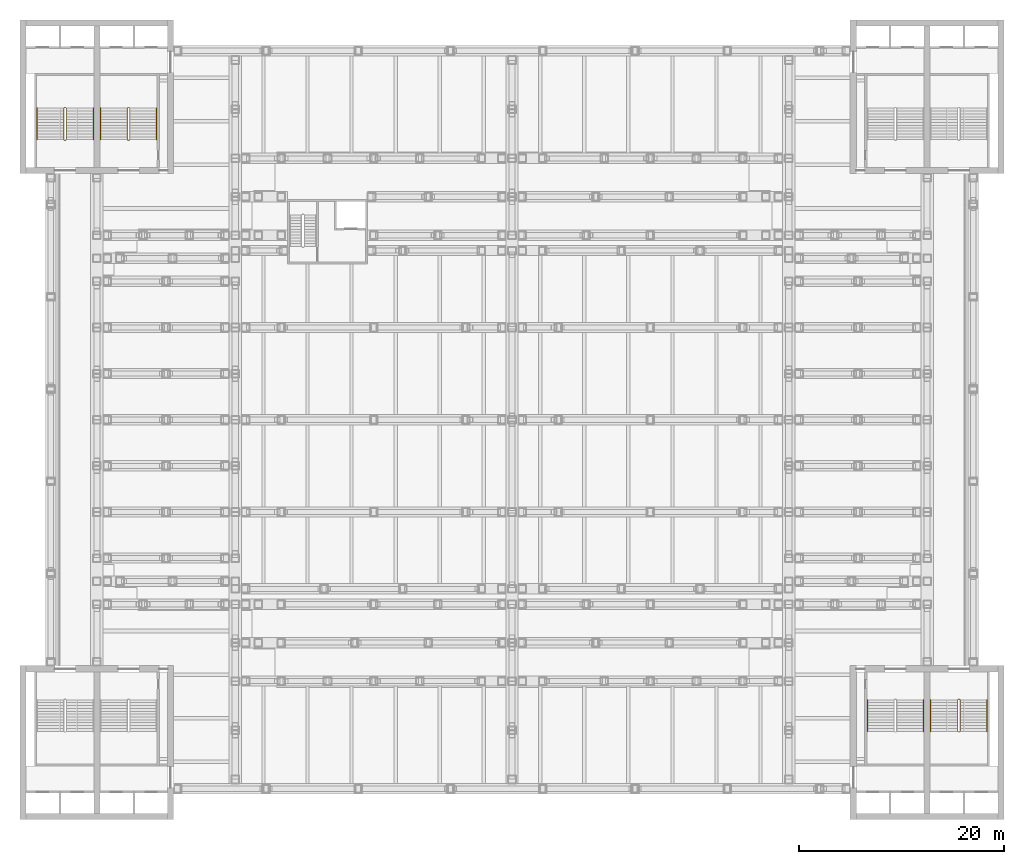
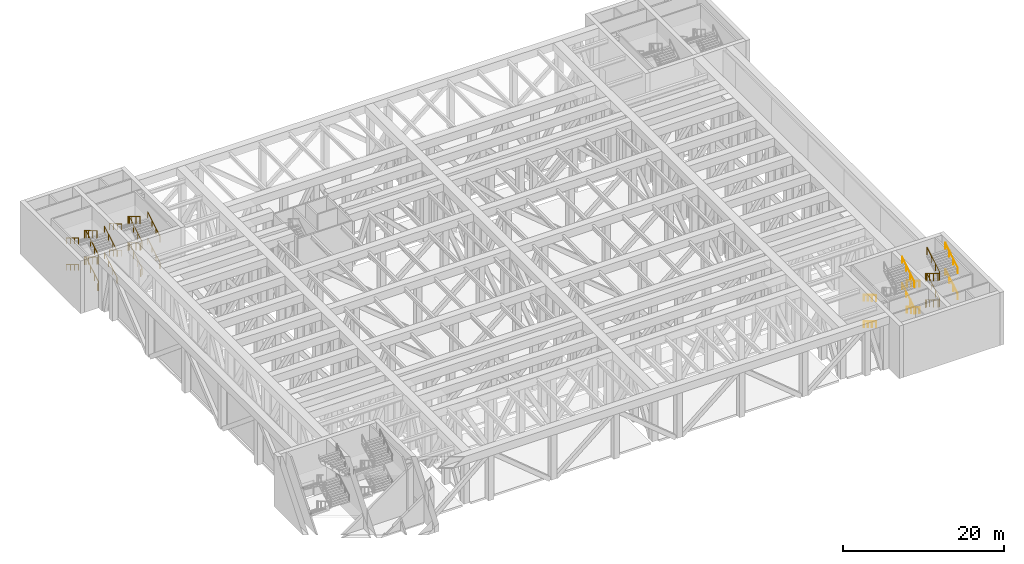
# One storey, part 19 of 20: 7 railings.
"""IFC4 building model written with IfcOpenShell, lengths in metres."""

from ifc_helpers import new_model, si_unit, direction, frame, origin, origin_2d, place, context, subcontext, project, spatial, circle, extrude, material, type_object, element, save


model = new_model("IFC4")

# Units and contexts
model_context = context("Model", 3, precision=1e-05, world=origin(), true_north=direction((0.0, 1.0)))
body_context = subcontext(model_context, "Body", "Model", "MODEL_VIEW")
ifc_project = project(units=[si_unit("LENGTHUNIT", "METRE"), si_unit("AREAUNIT", "SQUARE_METRE"), si_unit("VOLUMEUNIT", "CUBIC_METRE"), si_unit("PLANEANGLEUNIT", "RADIAN"), si_unit("MASSUNIT", "GRAM", prefix="KILO")], contexts=[model_context])

# Site, building, storey
site_placement = place(None, origin())
site = spatial("IfcSite", under=ifc_project, at=site_placement, CompositionType="ELEMENT")
building_placement = place(site_placement, origin())
building = spatial("IfcBuilding", under=site, at=building_placement, Name="Corbelhall Arena Tower", CompositionType="ELEMENT")
storey_placement = place(building_placement, frame((0.0, 0.0, 52.0)))
storey = spatial("IfcBuildingStorey", under=building, at=storey_placement, Name="L07", CompositionType="ELEMENT", Elevation=52.0)

# Railings
ifc_material = material(Name="Stainless steel A4", Category="steel")
railing_type_1 = type_object("IfcRailingType", Name="AR-STAIR-GUARD", PredefinedType="GUARDRAIL", material=ifc_material)
railing_1_placement = place(storey_placement, frame((-37.280029296875, 27.320068359375, 0.166748046875)))
element("IfcRailing", 1, at=railing_1_placement, inside=storey, type_object=railing_type_1, Name="L07 AS3 stair guards", PredefinedType="GUARDRAIL", context=body_context, shape_type="SweptSolid", body=[
    extrude(circle(Radius=0.02392578125, at=origin_2d()), frame((0.0, 0.0, 1.076171875), z_axis=(0.0, 0.859290745958, 0.51148745235), x_axis=(-1.0, 0.0, 0.0)), (0.0, 0.0, 1.0), 3.584228515625),
    extrude(circle(Radius=0.02392578125, at=origin_2d()), frame((-0.050048828125, 3.1298828125, 2.9091796875), z_axis=(-1.0, 0.0, 0.0), x_axis=(0.0, -1.0, 0.0)), (0.0, 0.0, 1.0), 0.14990234375),
    extrude(circle(Radius=0.02392578125, at=origin_2d()), frame((-0.25, 3.079833984375, 3.076171875), z_axis=(0.0, -0.859290745958, 0.51148745235), x_axis=(1.0, 0.0, 0.0)), (0.0, 0.0, 1.0), 3.584228515625),
    extrude(circle(Radius=0.02392578125, at=origin_2d()), frame((-0.050048828125, -0.050048828125, 4.9091796875), z_axis=(-1.0, 0.0, 0.0), x_axis=(0.0, -1.0, 0.0)), (0.0, 0.0, 1.0), 0.14990234375),
    extrude(circle(Radius=0.02392578125, at=origin_2d()), frame((0.0, 0.0, 5.076171875), z_axis=(0.0, 0.859290745958, 0.51148745235), x_axis=(-1.0, 0.0, 0.0)), (0.0, 0.0, 1.0), 3.584228515625),
    extrude(circle(Radius=0.02392578125, at=origin_2d()), frame((-0.050048828125, 3.1298828125, 6.9091796875), z_axis=(-1.0, 0.0, 0.0), x_axis=(0.0, -1.0, 0.0)), (0.0, 0.0, 1.0), 0.14990234375),
    extrude(circle(Radius=0.02392578125, at=origin_2d()), frame((-0.25, 3.079833984375, 7.076171875), z_axis=(0.0, -0.859290745958, 0.51148745235), x_axis=(1.0, 0.0, 0.0)), (0.0, 0.0, 1.0), 3.584228515625),
    extrude(circle(Radius=0.02392578125, at=origin_2d()), frame((-0.050048828125, -0.050048828125, 0.9091796875), z_axis=(-1.0, 0.0, 0.0), x_axis=(0.0, -1.0, 0.0)), (0.0, 0.0, 1.0), 0.14990234375),
    extrude(circle(Radius=0.02099609375, at=origin_2d()), origin(), (0.0, 0.0, 1.0), 1.052001953125),
    extrude(circle(Radius=0.02099609375, at=origin_2d()), frame((0.0, 1.026611328125, 0.611083984375)), (0.0, 0.0, 1.0), 1.052001953125),
    extrude(circle(Radius=0.02099609375, at=origin_2d()), frame((0.0, 2.05322265625, 1.22216796875)), (0.0, 0.0, 1.0), 1.052001953125),
    extrude(circle(Radius=0.02099609375, at=origin_2d()), frame((0.0, 3.079833984375, 1.833251953125)), (0.0, 0.0, 1.0), 1.052001953125),
    extrude(circle(Radius=0.02099609375, at=origin_2d()), frame((-0.050048828125, 3.1298828125, 1.833251953125)), (0.0, 0.0, 1.0), 1.052001953125),
    extrude(circle(Radius=0.02099609375, at=origin_2d()), frame((-0.199951171875, 3.1298828125, 1.833251953125)), (0.0, 0.0, 1.0), 1.052001953125),
    extrude(circle(Radius=0.02099609375, at=origin_2d()), frame((-0.25, 3.079833984375, 2.0)), (0.0, 0.0, 1.0), 1.052001953125),
    extrude(circle(Radius=0.02099609375, at=origin_2d()), frame((-0.25, 2.05322265625, 2.611083984375)), (0.0, 0.0, 1.0), 1.052001953125),
    extrude(circle(Radius=0.02099609375, at=origin_2d()), frame((-0.25, 1.026611328125, 3.22216796875)), (0.0, 0.0, 1.0), 1.052001953125),
    extrude(circle(Radius=0.02099609375, at=origin_2d()), frame((-0.25, 0.0, 3.833251953125)), (0.0, 0.0, 1.0), 1.052001953125),
    extrude(circle(Radius=0.02099609375, at=origin_2d()), frame((-0.050048828125, -0.050048828125, 3.833251953125)), (0.0, 0.0, 1.0), 1.052001953125),
    extrude(circle(Radius=0.02099609375, at=origin_2d()), frame((-0.199951171875, -0.050048828125, 3.833251953125)), (0.0, 0.0, 1.0), 1.052001953125),
    extrude(circle(Radius=0.02099609375, at=origin_2d()), frame((0.0, 0.0, 4.0)), (0.0, 0.0, 1.0), 1.052001953125),
    extrude(circle(Radius=0.02099609375, at=origin_2d()), frame((0.0, 1.026611328125, 4.611083984375)), (0.0, 0.0, 1.0), 1.052001953125),
    extrude(circle(Radius=0.02099609375, at=origin_2d()), frame((0.0, 2.05322265625, 5.22216796875)), (0.0, 0.0, 1.0), 1.052001953125),
    extrude(circle(Radius=0.02099609375, at=origin_2d()), frame((0.0, 3.079833984375, 5.833251953125)), (0.0, 0.0, 1.0), 1.052001953125),
    extrude(circle(Radius=0.02099609375, at=origin_2d()), frame((-0.050048828125, 3.1298828125, 5.833251953125)), (0.0, 0.0, 1.0), 1.052001953125),
    extrude(circle(Radius=0.02099609375, at=origin_2d()), frame((-0.199951171875, 3.1298828125, 5.833251953125)), (0.0, 0.0, 1.0), 1.052001953125),
    extrude(circle(Radius=0.02099609375, at=origin_2d()), frame((-0.25, 3.079833984375, 6.0)), (0.0, 0.0, 1.0), 1.052001953125),
    extrude(circle(Radius=0.02099609375, at=origin_2d()), frame((-0.25, 2.05322265625, 6.611083984375)), (0.0, 0.0, 1.0), 1.052001953125),
    extrude(circle(Radius=0.02099609375, at=origin_2d()), frame((-0.25, 1.026611328125, 7.22216796875)), (0.0, 0.0, 1.0), 1.052001953125),
    extrude(circle(Radius=0.02099609375, at=origin_2d()), frame((-0.25, 0.0, 7.833251953125)), (0.0, 0.0, 1.0), 1.052001953125),
    extrude(circle(Radius=0.02099609375, at=origin_2d()), frame((-0.050048828125, -0.050048828125, -0.166748046875)), (0.0, 0.0, 1.0), 1.052001953125),
    extrude(circle(Radius=0.02099609375, at=origin_2d()), frame((-0.199951171875, -0.050048828125, -0.166748046875)), (0.0, 0.0, 1.0), 1.052001953125),
])
railing_2_placement = place(storey_placement, frame((-43.469970703125, 27.320068359375, 0.166748046875)))
element("IfcRailing", 2, at=railing_2_placement, inside=storey, type_object=railing_type_1, Name="L07 AS4 stair guards", PredefinedType="GUARDRAIL", context=body_context, shape_type="SweptSolid", body=[
    extrude(circle(Radius=0.02392578125, at=origin_2d()), frame((0.0, 0.0, 1.076171875), z_axis=(0.0, 0.859290745958, 0.51148745235), x_axis=(-1.0, 0.0, 0.0)), (0.0, 0.0, 1.0), 3.584228515625),
    extrude(circle(Radius=0.02392578125, at=origin_2d()), frame((-0.050048828125, 3.1298828125, 2.9091796875), z_axis=(-1.0, 0.0, 0.0), x_axis=(0.0, -1.0, 0.0)), (0.0, 0.0, 1.0), 0.14990234375),
    extrude(circle(Radius=0.02392578125, at=origin_2d()), frame((-0.25, 3.079833984375, 3.076171875), z_axis=(0.0, -0.859290745958, 0.51148745235), x_axis=(1.0, 0.0, 0.0)), (0.0, 0.0, 1.0), 3.584228515625),
    extrude(circle(Radius=0.02392578125, at=origin_2d()), frame((-0.050048828125, -0.050048828125, 4.9091796875), z_axis=(-1.0, 0.0, 0.0), x_axis=(0.0, -1.0, 0.0)), (0.0, 0.0, 1.0), 0.14990234375),
    extrude(circle(Radius=0.02392578125, at=origin_2d()), frame((0.0, 0.0, 5.076171875), z_axis=(0.0, 0.859290745958, 0.51148745235), x_axis=(-1.0, 0.0, 0.0)), (0.0, 0.0, 1.0), 3.584228515625),
    extrude(circle(Radius=0.02392578125, at=origin_2d()), frame((-0.050048828125, 3.1298828125, 6.9091796875), z_axis=(-1.0, 0.0, 0.0), x_axis=(0.0, -1.0, 0.0)), (0.0, 0.0, 1.0), 0.14990234375),
    extrude(circle(Radius=0.02392578125, at=origin_2d()), frame((-0.25, 3.079833984375, 7.076171875), z_axis=(0.0, -0.859290745958, 0.51148745235), x_axis=(1.0, 0.0, 0.0)), (0.0, 0.0, 1.0), 3.584228515625),
    extrude(circle(Radius=0.02392578125, at=origin_2d()), frame((-0.050048828125, -0.050048828125, 0.9091796875), z_axis=(-1.0, 0.0, 0.0), x_axis=(0.0, -1.0, 0.0)), (0.0, 0.0, 1.0), 0.14990234375),
    extrude(circle(Radius=0.02099609375, at=origin_2d()), origin(), (0.0, 0.0, 1.0), 1.052001953125),
    extrude(circle(Radius=0.02099609375, at=origin_2d()), frame((0.0, 1.026611328125, 0.611083984375)), (0.0, 0.0, 1.0), 1.052001953125),
    extrude(circle(Radius=0.02099609375, at=origin_2d()), frame((0.0, 2.05322265625, 1.22216796875)), (0.0, 0.0, 1.0), 1.052001953125),
    extrude(circle(Radius=0.02099609375, at=origin_2d()), frame((0.0, 3.079833984375, 1.833251953125)), (0.0, 0.0, 1.0), 1.052001953125),
    extrude(circle(Radius=0.02099609375, at=origin_2d()), frame((-0.050048828125, 3.1298828125, 1.833251953125)), (0.0, 0.0, 1.0), 1.052001953125),
    extrude(circle(Radius=0.02099609375, at=origin_2d()), frame((-0.199951171875, 3.1298828125, 1.833251953125)), (0.0, 0.0, 1.0), 1.052001953125),
    extrude(circle(Radius=0.02099609375, at=origin_2d()), frame((-0.25, 3.079833984375, 2.0)), (0.0, 0.0, 1.0), 1.052001953125),
    extrude(circle(Radius=0.02099609375, at=origin_2d()), frame((-0.25, 2.05322265625, 2.611083984375)), (0.0, 0.0, 1.0), 1.052001953125),
    extrude(circle(Radius=0.02099609375, at=origin_2d()), frame((-0.25, 1.026611328125, 3.22216796875)), (0.0, 0.0, 1.0), 1.052001953125),
    extrude(circle(Radius=0.02099609375, at=origin_2d()), frame((-0.25, 0.0, 3.833251953125)), (0.0, 0.0, 1.0), 1.052001953125),
    extrude(circle(Radius=0.02099609375, at=origin_2d()), frame((-0.050048828125, -0.050048828125, 3.833251953125)), (0.0, 0.0, 1.0), 1.052001953125),
    extrude(circle(Radius=0.02099609375, at=origin_2d()), frame((-0.199951171875, -0.050048828125, 3.833251953125)), (0.0, 0.0, 1.0), 1.052001953125),
    extrude(circle(Radius=0.02099609375, at=origin_2d()), frame((0.0, 0.0, 4.0)), (0.0, 0.0, 1.0), 1.052001953125),
    extrude(circle(Radius=0.02099609375, at=origin_2d()), frame((0.0, 1.026611328125, 4.611083984375)), (0.0, 0.0, 1.0), 1.052001953125),
    extrude(circle(Radius=0.02099609375, at=origin_2d()), frame((0.0, 2.05322265625, 5.22216796875)), (0.0, 0.0, 1.0), 1.052001953125),
    extrude(circle(Radius=0.02099609375, at=origin_2d()), frame((0.0, 3.079833984375, 5.833251953125)), (0.0, 0.0, 1.0), 1.052001953125),
    extrude(circle(Radius=0.02099609375, at=origin_2d()), frame((-0.050048828125, 3.1298828125, 5.833251953125)), (0.0, 0.0, 1.0), 1.052001953125),
    extrude(circle(Radius=0.02099609375, at=origin_2d()), frame((-0.199951171875, 3.1298828125, 5.833251953125)), (0.0, 0.0, 1.0), 1.052001953125),
    extrude(circle(Radius=0.02099609375, at=origin_2d()), frame((-0.25, 3.079833984375, 6.0)), (0.0, 0.0, 1.0), 1.052001953125),
    extrude(circle(Radius=0.02099609375, at=origin_2d()), frame((-0.25, 2.05322265625, 6.611083984375)), (0.0, 0.0, 1.0), 1.052001953125),
    extrude(circle(Radius=0.02099609375, at=origin_2d()), frame((-0.25, 1.026611328125, 7.22216796875)), (0.0, 0.0, 1.0), 1.052001953125),
    extrude(circle(Radius=0.02099609375, at=origin_2d()), frame((-0.25, 0.0, 7.833251953125)), (0.0, 0.0, 1.0), 1.052001953125),
    extrude(circle(Radius=0.02099609375, at=origin_2d()), frame((-0.050048828125, -0.050048828125, -0.166748046875)), (0.0, 0.0, 1.0), 1.052001953125),
    extrude(circle(Radius=0.02099609375, at=origin_2d()), frame((-0.199951171875, -0.050048828125, -0.166748046875)), (0.0, 0.0, 1.0), 1.052001953125),
])
railing_3_placement = place(storey_placement, frame((43.469970703125, -27.320068359375, 0.166748046875)))
element("IfcRailing", 3, at=railing_3_placement, inside=storey, type_object=railing_type_1, Name="L07 AS6 stair guards", PredefinedType="GUARDRAIL", context=body_context, shape_type="SweptSolid", body=[
    extrude(circle(Radius=0.02392578125, at=origin_2d()), frame((0.0, 0.0, 1.076171875), z_axis=(0.0, -0.859290745958, 0.51148745235), x_axis=(1.0, 0.0, 0.0)), (0.0, 0.0, 1.0), 3.584228515625),
    extrude(circle(Radius=0.02392578125, at=origin_2d()), frame((0.050048828125, -3.1298828125, 2.9091796875), z_axis=(1.0, 0.0, 0.0), x_axis=(0.0, 1.0, 0.0)), (0.0, 0.0, 1.0), 0.14990234375),
    extrude(circle(Radius=0.02392578125, at=origin_2d()), frame((0.25, -3.079833984375, 3.076171875), z_axis=(0.0, 0.859290745958, 0.51148745235), x_axis=(-1.0, 0.0, 0.0)), (0.0, 0.0, 1.0), 3.584228515625),
    extrude(circle(Radius=0.02392578125, at=origin_2d()), frame((0.050048828125, 0.050048828125, 4.9091796875), z_axis=(1.0, 0.0, 0.0), x_axis=(0.0, 1.0, 0.0)), (0.0, 0.0, 1.0), 0.14990234375),
    extrude(circle(Radius=0.02392578125, at=origin_2d()), frame((0.0, 0.0, 5.076171875), z_axis=(0.0, -0.859290745958, 0.51148745235), x_axis=(1.0, 0.0, 0.0)), (0.0, 0.0, 1.0), 3.584228515625),
    extrude(circle(Radius=0.02392578125, at=origin_2d()), frame((0.050048828125, -3.1298828125, 6.9091796875), z_axis=(1.0, 0.0, 0.0), x_axis=(0.0, 1.0, 0.0)), (0.0, 0.0, 1.0), 0.14990234375),
    extrude(circle(Radius=0.02392578125, at=origin_2d()), frame((0.25, -3.079833984375, 7.076171875), z_axis=(0.0, 0.859290745958, 0.51148745235), x_axis=(-1.0, 0.0, 0.0)), (0.0, 0.0, 1.0), 3.584228515625),
    extrude(circle(Radius=0.02392578125, at=origin_2d()), frame((0.050048828125, 0.050048828125, 0.9091796875), z_axis=(1.0, 0.0, 0.0), x_axis=(0.0, 1.0, 0.0)), (0.0, 0.0, 1.0), 0.14990234375),
    extrude(circle(Radius=0.02099609375, at=origin_2d()), origin(), (0.0, 0.0, 1.0), 1.052001953125),
    extrude(circle(Radius=0.02099609375, at=origin_2d()), frame((0.0, -1.026611328125, 0.611083984375)), (0.0, 0.0, 1.0), 1.052001953125),
    extrude(circle(Radius=0.02099609375, at=origin_2d()), frame((0.0, -2.05322265625, 1.22216796875)), (0.0, 0.0, 1.0), 1.052001953125),
    extrude(circle(Radius=0.02099609375, at=origin_2d()), frame((0.0, -3.079833984375, 1.833251953125)), (0.0, 0.0, 1.0), 1.052001953125),
    extrude(circle(Radius=0.02099609375, at=origin_2d()), frame((0.050048828125, -3.1298828125, 1.833251953125)), (0.0, 0.0, 1.0), 1.052001953125),
    extrude(circle(Radius=0.02099609375, at=origin_2d()), frame((0.199951171875, -3.1298828125, 1.833251953125)), (0.0, 0.0, 1.0), 1.052001953125),
    extrude(circle(Radius=0.02099609375, at=origin_2d()), frame((0.25, -3.079833984375, 2.0)), (0.0, 0.0, 1.0), 1.052001953125),
    extrude(circle(Radius=0.02099609375, at=origin_2d()), frame((0.25, -2.05322265625, 2.611083984375)), (0.0, 0.0, 1.0), 1.052001953125),
    extrude(circle(Radius=0.02099609375, at=origin_2d()), frame((0.25, -1.026611328125, 3.22216796875)), (0.0, 0.0, 1.0), 1.052001953125),
    extrude(circle(Radius=0.02099609375, at=origin_2d()), frame((0.25, 0.0, 3.833251953125)), (0.0, 0.0, 1.0), 1.052001953125),
    extrude(circle(Radius=0.02099609375, at=origin_2d()), frame((0.050048828125, 0.050048828125, 3.833251953125)), (0.0, 0.0, 1.0), 1.052001953125),
    extrude(circle(Radius=0.02099609375, at=origin_2d()), frame((0.199951171875, 0.050048828125, 3.833251953125)), (0.0, 0.0, 1.0), 1.052001953125),
    extrude(circle(Radius=0.02099609375, at=origin_2d()), frame((0.0, 0.0, 4.0)), (0.0, 0.0, 1.0), 1.052001953125),
    extrude(circle(Radius=0.02099609375, at=origin_2d()), frame((0.0, -1.026611328125, 4.611083984375)), (0.0, 0.0, 1.0), 1.052001953125),
    extrude(circle(Radius=0.02099609375, at=origin_2d()), frame((0.0, -2.05322265625, 5.22216796875)), (0.0, 0.0, 1.0), 1.052001953125),
    extrude(circle(Radius=0.02099609375, at=origin_2d()), frame((0.0, -3.079833984375, 5.833251953125)), (0.0, 0.0, 1.0), 1.052001953125),
    extrude(circle(Radius=0.02099609375, at=origin_2d()), frame((0.050048828125, -3.1298828125, 5.833251953125)), (0.0, 0.0, 1.0), 1.052001953125),
    extrude(circle(Radius=0.02099609375, at=origin_2d()), frame((0.199951171875, -3.1298828125, 5.833251953125)), (0.0, 0.0, 1.0), 1.052001953125),
    extrude(circle(Radius=0.02099609375, at=origin_2d()), frame((0.25, -3.079833984375, 6.0)), (0.0, 0.0, 1.0), 1.052001953125),
    extrude(circle(Radius=0.02099609375, at=origin_2d()), frame((0.25, -2.05322265625, 6.611083984375)), (0.0, 0.0, 1.0), 1.052001953125),
    extrude(circle(Radius=0.02099609375, at=origin_2d()), frame((0.25, -1.026611328125, 7.22216796875)), (0.0, 0.0, 1.0), 1.052001953125),
    extrude(circle(Radius=0.02099609375, at=origin_2d()), frame((0.25, 0.0, 7.833251953125)), (0.0, 0.0, 1.0), 1.052001953125),
    extrude(circle(Radius=0.02099609375, at=origin_2d()), frame((0.050048828125, 0.050048828125, -0.166748046875)), (0.0, 0.0, 1.0), 1.052001953125),
    extrude(circle(Radius=0.02099609375, at=origin_2d()), frame((0.199951171875, 0.050048828125, -0.166748046875)), (0.0, 0.0, 1.0), 1.052001953125),
])
railing_type_2 = type_object("IfcRailingType", Name="AR-STAIR-HANDRAIL", PredefinedType="HANDRAIL", material=ifc_material)
railing_4_placement = place(storey_placement, frame((-34.659912109375, 27.320068359375, 0.166748046875)))
element("IfcRailing", 4, at=railing_4_placement, inside=storey, type_object=railing_type_2, Name="L07 AS3 stair handrails", PredefinedType="HANDRAIL", context=body_context, shape_type="SweptSolid", body=[
    extrude(circle(Radius=0.02392578125, at=origin_2d()), frame((0.0, 0.0, 0.8759765625), z_axis=(0.0, 0.859290745958, 0.51148745235), x_axis=(-1.0, 0.0, 0.0)), (0.0, 0.0, 1.0), 3.584228515625),
    extrude(circle(Radius=0.02392578125, at=origin_2d()), frame((-5.489990234375, 3.079833984375, 2.8759765625), z_axis=(0.0, -0.859290745958, 0.51148745235), x_axis=(1.0, 0.0, 0.0)), (0.0, 0.0, 1.0), 3.584228515625),
    extrude(circle(Radius=0.02392578125, at=origin_2d()), frame((0.0, 0.0, 4.8759765625), z_axis=(0.0, 0.859290745958, 0.51148745235), x_axis=(-1.0, 0.0, 0.0)), (0.0, 0.0, 1.0), 3.584228515625),
    extrude(circle(Radius=0.02392578125, at=origin_2d()), frame((-5.489990234375, 3.079833984375, 6.8759765625), z_axis=(0.0, -0.859290745958, 0.51148745235), x_axis=(1.0, 0.0, 0.0)), (0.0, 0.0, 1.0), 3.584228515625),
    extrude(circle(Radius=0.02099609375, at=origin_2d()), origin(), (0.0, 0.0, 1.0), 0.851806640625),
    extrude(circle(Radius=0.02099609375, at=origin_2d()), frame((0.0, 1.026611328125, 0.611083984375)), (0.0, 0.0, 1.0), 0.851806640625),
    extrude(circle(Radius=0.02099609375, at=origin_2d()), frame((0.0, 2.05322265625, 1.22216796875)), (0.0, 0.0, 1.0), 0.851806640625),
    extrude(circle(Radius=0.02099609375, at=origin_2d()), frame((0.0, 3.079833984375, 1.833251953125)), (0.0, 0.0, 1.0), 0.851806640625),
    extrude(circle(Radius=0.02099609375, at=origin_2d()), frame((-5.489990234375, 3.079833984375, 2.0)), (0.0, 0.0, 1.0), 0.851806640625),
    extrude(circle(Radius=0.02099609375, at=origin_2d()), frame((-5.489990234375, 2.05322265625, 2.611083984375)), (0.0, 0.0, 1.0), 0.851806640625),
    extrude(circle(Radius=0.02099609375, at=origin_2d()), frame((-5.489990234375, 1.026611328125, 3.22216796875)), (0.0, 0.0, 1.0), 0.851806640625),
    extrude(circle(Radius=0.02099609375, at=origin_2d()), frame((-5.489990234375, 0.0, 3.833251953125)), (0.0, 0.0, 1.0), 0.851806640625),
    extrude(circle(Radius=0.02099609375, at=origin_2d()), frame((0.0, 0.0, 4.0)), (0.0, 0.0, 1.0), 0.851806640625),
    extrude(circle(Radius=0.02099609375, at=origin_2d()), frame((0.0, 1.026611328125, 4.611083984375)), (0.0, 0.0, 1.0), 0.851806640625),
    extrude(circle(Radius=0.02099609375, at=origin_2d()), frame((0.0, 2.05322265625, 5.22216796875)), (0.0, 0.0, 1.0), 0.851806640625),
    extrude(circle(Radius=0.02099609375, at=origin_2d()), frame((0.0, 3.079833984375, 5.833251953125)), (0.0, 0.0, 1.0), 0.851806640625),
    extrude(circle(Radius=0.02099609375, at=origin_2d()), frame((-5.489990234375, 3.079833984375, 6.0)), (0.0, 0.0, 1.0), 0.851806640625),
    extrude(circle(Radius=0.02099609375, at=origin_2d()), frame((-5.489990234375, 2.05322265625, 6.611083984375)), (0.0, 0.0, 1.0), 0.851806640625),
    extrude(circle(Radius=0.02099609375, at=origin_2d()), frame((-5.489990234375, 1.026611328125, 7.22216796875)), (0.0, 0.0, 1.0), 0.851806640625),
    extrude(circle(Radius=0.02099609375, at=origin_2d()), frame((-5.489990234375, 0.0, 7.833251953125)), (0.0, 0.0, 1.0), 0.851806640625),
])
railing_5_placement = place(storey_placement, frame((-40.85009765625, 27.320068359375, 0.166748046875)))
element("IfcRailing", 5, at=railing_5_placement, inside=storey, type_object=railing_type_2, Name="L07 AS4 stair handrails", PredefinedType="HANDRAIL", context=body_context, shape_type="SweptSolid", body=[
    extrude(circle(Radius=0.02392578125, at=origin_2d()), frame((0.0, 0.0, 0.8759765625), z_axis=(0.0, 0.859290745958, 0.51148745235), x_axis=(-1.0, 0.0, 0.0)), (0.0, 0.0, 1.0), 3.584228515625),
    extrude(circle(Radius=0.02392578125, at=origin_2d()), frame((-5.489990234375, 3.079833984375, 2.8759765625), z_axis=(0.0, -0.859290745958, 0.51148745235), x_axis=(1.0, 0.0, 0.0)), (0.0, 0.0, 1.0), 3.584228515625),
    extrude(circle(Radius=0.02392578125, at=origin_2d()), frame((0.0, 0.0, 4.8759765625), z_axis=(0.0, 0.859290745958, 0.51148745235), x_axis=(-1.0, 0.0, 0.0)), (0.0, 0.0, 1.0), 3.584228515625),
    extrude(circle(Radius=0.02392578125, at=origin_2d()), frame((-5.489990234375, 3.079833984375, 6.8759765625), z_axis=(0.0, -0.859290745958, 0.51148745235), x_axis=(1.0, 0.0, 0.0)), (0.0, 0.0, 1.0), 3.584228515625),
    extrude(circle(Radius=0.02099609375, at=origin_2d()), origin(), (0.0, 0.0, 1.0), 0.851806640625),
    extrude(circle(Radius=0.02099609375, at=origin_2d()), frame((0.0, 1.026611328125, 0.611083984375)), (0.0, 0.0, 1.0), 0.851806640625),
    extrude(circle(Radius=0.02099609375, at=origin_2d()), frame((0.0, 2.05322265625, 1.22216796875)), (0.0, 0.0, 1.0), 0.851806640625),
    extrude(circle(Radius=0.02099609375, at=origin_2d()), frame((0.0, 3.079833984375, 1.833251953125)), (0.0, 0.0, 1.0), 0.851806640625),
    extrude(circle(Radius=0.02099609375, at=origin_2d()), frame((-5.489990234375, 3.079833984375, 2.0)), (0.0, 0.0, 1.0), 0.851806640625),
    extrude(circle(Radius=0.02099609375, at=origin_2d()), frame((-5.489990234375, 2.05322265625, 2.611083984375)), (0.0, 0.0, 1.0), 0.851806640625),
    extrude(circle(Radius=0.02099609375, at=origin_2d()), frame((-5.489990234375, 1.026611328125, 3.22216796875)), (0.0, 0.0, 1.0), 0.851806640625),
    extrude(circle(Radius=0.02099609375, at=origin_2d()), frame((-5.489990234375, 0.0, 3.833251953125)), (0.0, 0.0, 1.0), 0.851806640625),
    extrude(circle(Radius=0.02099609375, at=origin_2d()), frame((0.0, 0.0, 4.0)), (0.0, 0.0, 1.0), 0.851806640625),
    extrude(circle(Radius=0.02099609375, at=origin_2d()), frame((0.0, 1.026611328125, 4.611083984375)), (0.0, 0.0, 1.0), 0.851806640625),
    extrude(circle(Radius=0.02099609375, at=origin_2d()), frame((0.0, 2.05322265625, 5.22216796875)), (0.0, 0.0, 1.0), 0.851806640625),
    extrude(circle(Radius=0.02099609375, at=origin_2d()), frame((0.0, 3.079833984375, 5.833251953125)), (0.0, 0.0, 1.0), 0.851806640625),
    extrude(circle(Radius=0.02099609375, at=origin_2d()), frame((-5.489990234375, 3.079833984375, 6.0)), (0.0, 0.0, 1.0), 0.851806640625),
    extrude(circle(Radius=0.02099609375, at=origin_2d()), frame((-5.489990234375, 2.05322265625, 6.611083984375)), (0.0, 0.0, 1.0), 0.851806640625),
    extrude(circle(Radius=0.02099609375, at=origin_2d()), frame((-5.489990234375, 1.026611328125, 7.22216796875)), (0.0, 0.0, 1.0), 0.851806640625),
    extrude(circle(Radius=0.02099609375, at=origin_2d()), frame((-5.489990234375, 0.0, 7.833251953125)), (0.0, 0.0, 1.0), 0.851806640625),
])
railing_6_placement = place(storey_placement, frame((34.659912109375, -27.320068359375, 0.166748046875)))
element("IfcRailing", 6, at=railing_6_placement, inside=storey, type_object=railing_type_2, Name="L07 AS5 stair handrails", PredefinedType="HANDRAIL", context=body_context, shape_type="SweptSolid", body=[
    extrude(circle(Radius=0.02392578125, at=origin_2d()), frame((0.0, 0.0, 0.8759765625), z_axis=(0.0, -0.859290745958, 0.51148745235), x_axis=(1.0, 0.0, 0.0)), (0.0, 0.0, 1.0), 3.584228515625),
    extrude(circle(Radius=0.02392578125, at=origin_2d()), frame((5.489990234375, -3.079833984375, 2.8759765625), z_axis=(0.0, 0.859290745958, 0.51148745235), x_axis=(-1.0, 0.0, 0.0)), (0.0, 0.0, 1.0), 3.584228515625),
    extrude(circle(Radius=0.02392578125, at=origin_2d()), frame((0.0, 0.0, 4.8759765625), z_axis=(0.0, -0.859290745958, 0.51148745235), x_axis=(1.0, 0.0, 0.0)), (0.0, 0.0, 1.0), 3.584228515625),
    extrude(circle(Radius=0.02392578125, at=origin_2d()), frame((5.489990234375, -3.079833984375, 6.8759765625), z_axis=(0.0, 0.859290745958, 0.51148745235), x_axis=(-1.0, 0.0, 0.0)), (0.0, 0.0, 1.0), 3.584228515625),
    extrude(circle(Radius=0.02099609375, at=origin_2d()), origin(), (0.0, 0.0, 1.0), 0.851806640625),
    extrude(circle(Radius=0.02099609375, at=origin_2d()), frame((0.0, -1.026611328125, 0.611083984375)), (0.0, 0.0, 1.0), 0.851806640625),
    extrude(circle(Radius=0.02099609375, at=origin_2d()), frame((0.0, -2.05322265625, 1.22216796875)), (0.0, 0.0, 1.0), 0.851806640625),
    extrude(circle(Radius=0.02099609375, at=origin_2d()), frame((0.0, -3.079833984375, 1.833251953125)), (0.0, 0.0, 1.0), 0.851806640625),
    extrude(circle(Radius=0.02099609375, at=origin_2d()), frame((5.489990234375, -3.079833984375, 2.0)), (0.0, 0.0, 1.0), 0.851806640625),
    extrude(circle(Radius=0.02099609375, at=origin_2d()), frame((5.489990234375, -2.05322265625, 2.611083984375)), (0.0, 0.0, 1.0), 0.851806640625),
    extrude(circle(Radius=0.02099609375, at=origin_2d()), frame((5.489990234375, -1.026611328125, 3.22216796875)), (0.0, 0.0, 1.0), 0.851806640625),
    extrude(circle(Radius=0.02099609375, at=origin_2d()), frame((5.489990234375, 0.0, 3.833251953125)), (0.0, 0.0, 1.0), 0.851806640625),
    extrude(circle(Radius=0.02099609375, at=origin_2d()), frame((0.0, 0.0, 4.0)), (0.0, 0.0, 1.0), 0.851806640625),
    extrude(circle(Radius=0.02099609375, at=origin_2d()), frame((0.0, -1.026611328125, 4.611083984375)), (0.0, 0.0, 1.0), 0.851806640625),
    extrude(circle(Radius=0.02099609375, at=origin_2d()), frame((0.0, -2.05322265625, 5.22216796875)), (0.0, 0.0, 1.0), 0.851806640625),
    extrude(circle(Radius=0.02099609375, at=origin_2d()), frame((0.0, -3.079833984375, 5.833251953125)), (0.0, 0.0, 1.0), 0.851806640625),
    extrude(circle(Radius=0.02099609375, at=origin_2d()), frame((5.489990234375, -3.079833984375, 6.0)), (0.0, 0.0, 1.0), 0.851806640625),
    extrude(circle(Radius=0.02099609375, at=origin_2d()), frame((5.489990234375, -2.05322265625, 6.611083984375)), (0.0, 0.0, 1.0), 0.851806640625),
    extrude(circle(Radius=0.02099609375, at=origin_2d()), frame((5.489990234375, -1.026611328125, 7.22216796875)), (0.0, 0.0, 1.0), 0.851806640625),
    extrude(circle(Radius=0.02099609375, at=origin_2d()), frame((5.489990234375, 0.0, 7.833251953125)), (0.0, 0.0, 1.0), 0.851806640625),
])
railing_7_placement = place(storey_placement, frame((40.85009765625, -27.320068359375, 0.166748046875)))
element("IfcRailing", 7, at=railing_7_placement, inside=storey, type_object=railing_type_2, Name="L07 AS6 stair handrails", PredefinedType="HANDRAIL", context=body_context, shape_type="SweptSolid", body=[
    extrude(circle(Radius=0.02392578125, at=origin_2d()), frame((0.0, 0.0, 0.8759765625), z_axis=(0.0, -0.859290745958, 0.51148745235), x_axis=(1.0, 0.0, 0.0)), (0.0, 0.0, 1.0), 3.584228515625),
    extrude(circle(Radius=0.02392578125, at=origin_2d()), frame((5.489990234375, -3.079833984375, 2.8759765625), z_axis=(0.0, 0.859290745958, 0.51148745235), x_axis=(-1.0, 0.0, 0.0)), (0.0, 0.0, 1.0), 3.584228515625),
    extrude(circle(Radius=0.02392578125, at=origin_2d()), frame((0.0, 0.0, 4.8759765625), z_axis=(0.0, -0.859290745958, 0.51148745235), x_axis=(1.0, 0.0, 0.0)), (0.0, 0.0, 1.0), 3.584228515625),
    extrude(circle(Radius=0.02392578125, at=origin_2d()), frame((5.489990234375, -3.079833984375, 6.8759765625), z_axis=(0.0, 0.859290745958, 0.51148745235), x_axis=(-1.0, 0.0, 0.0)), (0.0, 0.0, 1.0), 3.584228515625),
    extrude(circle(Radius=0.02099609375, at=origin_2d()), origin(), (0.0, 0.0, 1.0), 0.851806640625),
    extrude(circle(Radius=0.02099609375, at=origin_2d()), frame((0.0, -1.026611328125, 0.611083984375)), (0.0, 0.0, 1.0), 0.851806640625),
    extrude(circle(Radius=0.02099609375, at=origin_2d()), frame((0.0, -2.05322265625, 1.22216796875)), (0.0, 0.0, 1.0), 0.851806640625),
    extrude(circle(Radius=0.02099609375, at=origin_2d()), frame((0.0, -3.079833984375, 1.833251953125)), (0.0, 0.0, 1.0), 0.851806640625),
    extrude(circle(Radius=0.02099609375, at=origin_2d()), frame((5.489990234375, -3.079833984375, 2.0)), (0.0, 0.0, 1.0), 0.851806640625),
    extrude(circle(Radius=0.02099609375, at=origin_2d()), frame((5.489990234375, -2.05322265625, 2.611083984375)), (0.0, 0.0, 1.0), 0.851806640625),
    extrude(circle(Radius=0.02099609375, at=origin_2d()), frame((5.489990234375, -1.026611328125, 3.22216796875)), (0.0, 0.0, 1.0), 0.851806640625),
    extrude(circle(Radius=0.02099609375, at=origin_2d()), frame((5.489990234375, 0.0, 3.833251953125)), (0.0, 0.0, 1.0), 0.851806640625),
    extrude(circle(Radius=0.02099609375, at=origin_2d()), frame((0.0, 0.0, 4.0)), (0.0, 0.0, 1.0), 0.851806640625),
    extrude(circle(Radius=0.02099609375, at=origin_2d()), frame((0.0, -1.026611328125, 4.611083984375)), (0.0, 0.0, 1.0), 0.851806640625),
    extrude(circle(Radius=0.02099609375, at=origin_2d()), frame((0.0, -2.05322265625, 5.22216796875)), (0.0, 0.0, 1.0), 0.851806640625),
    extrude(circle(Radius=0.02099609375, at=origin_2d()), frame((0.0, -3.079833984375, 5.833251953125)), (0.0, 0.0, 1.0), 0.851806640625),
    extrude(circle(Radius=0.02099609375, at=origin_2d()), frame((5.489990234375, -3.079833984375, 6.0)), (0.0, 0.0, 1.0), 0.851806640625),
    extrude(circle(Radius=0.02099609375, at=origin_2d()), frame((5.489990234375, -2.05322265625, 6.611083984375)), (0.0, 0.0, 1.0), 0.851806640625),
    extrude(circle(Radius=0.02099609375, at=origin_2d()), frame((5.489990234375, -1.026611328125, 7.22216796875)), (0.0, 0.0, 1.0), 0.851806640625),
    extrude(circle(Radius=0.02099609375, at=origin_2d()), frame((5.489990234375, 0.0, 7.833251953125)), (0.0, 0.0, 1.0), 0.851806640625),
])

save(model, "model.ifc")
